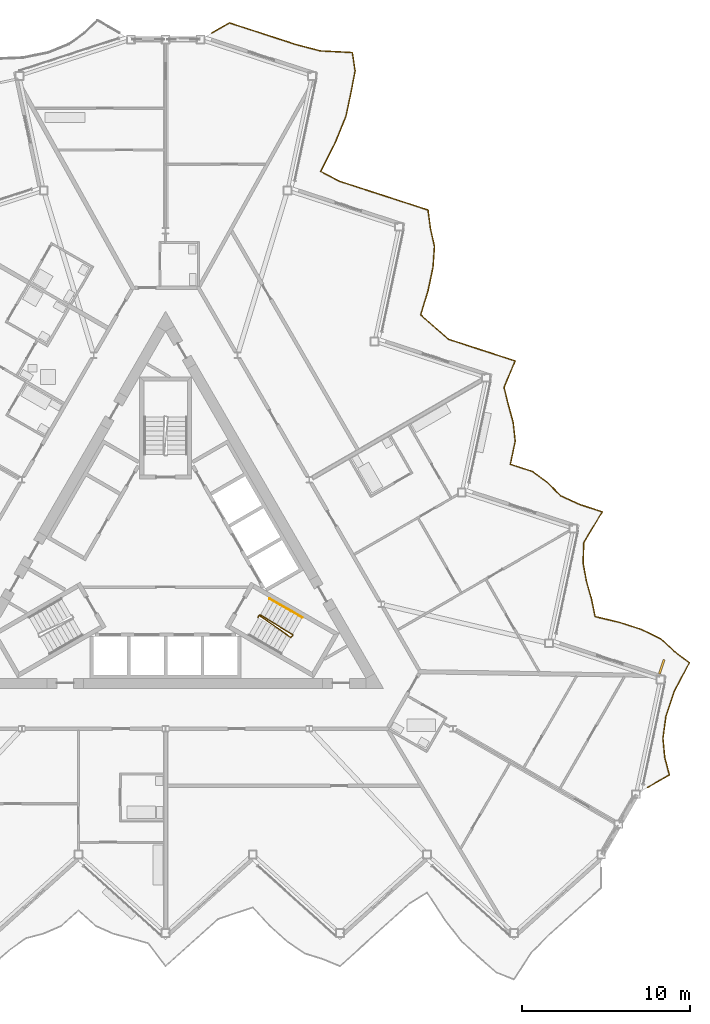
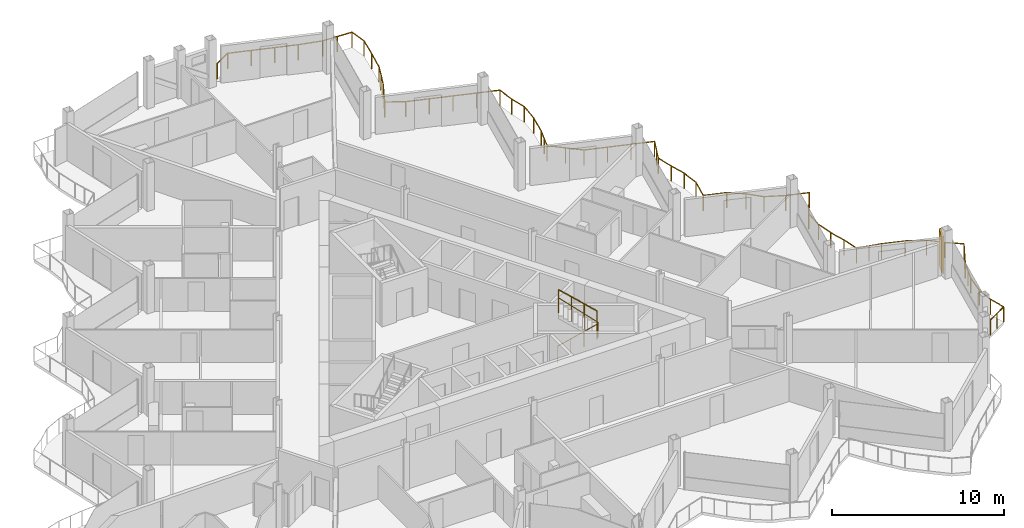
# One storey, part 23 of 26: 3 railings, 1 shading device.
"""IFC4 building model written with IfcOpenShell, lengths in metres."""

from ifc_helpers import new_model, si_unit, direction, frame, origin, origin_2d, place, context, subcontext, project, spatial, rectangle, circle, extrude, material, layer, layer_set, type_object, element, save


model = new_model("IFC4")

# Units and contexts
model_context = context("Model", 3, precision=1e-05, world=origin(), true_north=direction((0.0, 1.0)))
body_context = subcontext(model_context, "Body", "Model", "MODEL_VIEW")
ifc_project = project(units=[si_unit("LENGTHUNIT", "METRE"), si_unit("AREAUNIT", "SQUARE_METRE"), si_unit("VOLUMEUNIT", "CUBIC_METRE"), si_unit("PLANEANGLEUNIT", "RADIAN"), si_unit("MASSUNIT", "GRAM", prefix="KILO")], contexts=[model_context])

# Site, building, storey
site_placement = place(None, origin())
site = spatial("IfcSite", under=ifc_project, at=site_placement, CompositionType="ELEMENT")
building_placement = place(site_placement, origin())
building = spatial("IfcBuilding", under=site, at=building_placement, Name="Cormorant Prow Tower", CompositionType="ELEMENT")
storey_placement = place(building_placement, frame((0.0, 0.0, 384.800048828125)))
storey = spatial("IfcBuildingStorey", under=building, at=storey_placement, Name="L87", CompositionType="ELEMENT", Elevation=384.800048828125)

# Railings
ifc_material_1 = material(Name="Aluminium 6063-T6", Category="aluminium")
railing_type_1 = type_object("IfcRailingType", Name="Balcony guard 1100", PredefinedType="GUARDRAIL", material=ifc_material_1)
railing_1_placement = place(storey_placement, frame((28.752685546875, -13.421875, 0.0)))
element("IfcRailing", 1, at=railing_1_placement, inside=storey, type_object=railing_type_1, Name="Balcony guard ENE", PredefinedType="GUARDRAIL", context=body_context, shape_type="SweptSolid", body=[
    extrude(circle(Radius=0.02392578125, at=origin_2d()), frame((0.0, 0.0, 1.076171875), z_axis=(0.866030456496, 0.499991248344, 0.0), x_axis=(-0.499991248344, 0.866030456496, 0.0)), (0.0, 0.0, 1.0), 1.52001953125),
    extrude(circle(Radius=0.02392578125, at=origin_2d()), frame((1.31640625, 0.760009765625, 1.076171875), z_axis=(-0.25456018567, 0.967056933108, 0.0), x_axis=(-0.967056933108, -0.25456018567, 0.0)), (0.0, 0.0, 1.0), 1.077880859375),
    extrude(circle(Radius=0.02392578125, at=origin_2d()), frame((1.0419921875, 1.802490234375, 1.076171875), z_axis=(-0.094345723929, 0.995539494132, 0.0), x_axis=(-0.995539494132, -0.094345723929, 0.0)), (0.0, 0.0, 1.0), 1.143798828125),
    extrude(circle(Radius=0.02392578125, at=origin_2d()), frame((0.93408203125, 2.941162109375, 1.076171875), z_axis=(0.133927756616, 0.990991097845, 0.0), x_axis=(-0.990991097845, 0.133927756616, 0.0)), (0.0, 0.0, 1.0), 1.314208984375),
    extrude(circle(Radius=0.02392578125, at=origin_2d()), frame((1.110107421875, 4.24365234375, 1.076171875), z_axis=(0.315432447074, 0.948948034053, 0.0), x_axis=(-0.948948034053, 0.315432447074, 0.0)), (0.0, 0.0, 1.0), 1.565673828125),
    extrude(circle(Radius=0.02392578125, at=origin_2d()), frame((1.60400390625, 5.7294921875, 1.076171875), z_axis=(0.465555422045, 0.885018728053, 0.0), x_axis=(-0.885018728053, 0.465555422045, 0.0)), (0.0, 0.0, 1.0), 1.94921875),
    extrude(circle(Radius=0.02392578125, at=origin_2d()), frame((2.511474609375, 7.45458984375, 1.076171875), z_axis=(-0.799273587813, 0.60096733008, 0.0), x_axis=(-0.60096733008, -0.799273587813, 0.0)), (0.0, 0.0, 1.0), 1.130126953125),
    extrude(circle(Radius=0.02392578125, at=origin_2d()), frame((1.608154296875, 8.1337890625, 1.076171875), z_axis=(-0.732545721548, 0.680717831294, 0.0), x_axis=(-0.680717831294, -0.732545721548, 0.0)), (0.0, 0.0, 1.0), 1.088134765625),
    extrude(circle(Radius=0.02392578125, at=origin_2d()), frame((0.81103515625, 8.87451171875, 1.076171875), z_axis=(-0.897448694974, 0.441118850072, 0.0), x_axis=(-0.441118850072, -0.897448694974, 0.0)), (0.0, 0.0, 1.0), 1.251953125),
    extrude(circle(Radius=0.02392578125, at=origin_2d()), frame((-0.3125, 9.4267578125, 1.076171875), z_axis=(-0.951012270488, 0.309153135811, 0.0), x_axis=(-0.309153135811, -0.951012270488, 0.0)), (0.0, 0.0, 1.0), 1.3994140625),
    extrude(circle(Radius=0.02392578125, at=origin_2d()), frame((-1.643310546875, 9.859375, 1.076171875), z_axis=(-0.972903010085, 0.231213608959, 0.0), x_axis=(-0.231213608959, -0.972903010085, 0.0)), (0.0, 0.0, 1.0), 1.51416015625),
    extrude(circle(Radius=0.02392578125, at=origin_2d()), frame((-3.116455078125, 10.20947265625, 1.076171875), z_axis=(-0.201596352641, 0.979468687913, 0.0), x_axis=(-0.979468687913, -0.201596352641, 0.0)), (0.0, 0.0, 1.0), 1.095947265625),
    extrude(circle(Radius=0.02392578125, at=origin_2d()), frame((-3.33740234375, 11.282958984375, 1.076171875), z_axis=(-0.276315315013, 0.961067035482, 0.0), x_axis=(-0.961067035482, -0.276315315013, 0.0)), (0.0, 0.0, 1.0), 1.07177734375),
    extrude(circle(Radius=0.02392578125, at=origin_2d()), frame((-3.633544921875, 12.31298828125, 1.076171875), z_axis=(-0.179760955781, 0.983710322593, 0.0), x_axis=(-0.983710322593, -0.179760955781, 0.0)), (0.0, 0.0, 1.0), 1.104248046875),
    extrude(circle(Radius=0.02392578125, at=origin_2d()), frame((-3.83203125, 13.399169921875, 1.076171875), z_axis=(0.035421803322, 0.999372451016, 0.0), x_axis=(-0.999372451016, 0.035421803322, 0.0)), (0.0, 0.0, 1.0), 1.226806640625),
    extrude(circle(Radius=0.02392578125, at=origin_2d()), frame((-3.78857421875, 14.625244140625, 1.076171875), z_axis=(0.513992423675, 0.857794723932, 0.0), x_axis=(-0.857794723932, 0.513992423675, 0.0)), (0.0, 0.0, 1.0), 2.140380859375),
    extrude(circle(Radius=0.02392578125, at=origin_2d()), frame((-2.6884765625, 16.461181640625, 1.076171875), z_axis=(-0.951080208938, 0.308944066403, 0.0), x_axis=(-0.308944066403, -0.951080208938, 0.0)), (0.0, 0.0, 1.0), 1.3994140625),
    extrude(circle(Radius=0.02392578125, at=origin_2d()), frame((-4.01953125, 16.8935546875, 1.076171875), z_axis=(-0.909282126694, 0.416180266321, 0.0), x_axis=(-0.416180266321, -0.909282126694, 0.0)), (0.0, 0.0, 1.0), 1.27587890625),
    extrude(circle(Radius=0.02392578125, at=origin_2d()), frame((-5.1796875, 17.424560546875, 1.076171875), z_axis=(-0.701747981526, 0.712425273572, 0.0), x_axis=(-0.712425273572, -0.701747981526, 0.0)), (0.0, 0.0, 1.0), 1.07470703125),
    extrude(circle(Radius=0.02392578125, at=origin_2d()), frame((-5.933837890625, 18.190185546875, 1.076171875), z_axis=(-0.802655426289, 0.596443012072, 0.0), x_axis=(-0.596443012072, -0.802655426289, 0.0)), (0.0, 0.0, 1.0), 1.133056640625),
    extrude(circle(Radius=0.02392578125, at=origin_2d()), frame((-6.84326171875, 18.865966796875, 1.076171875), z_axis=(-0.951080208938, 0.308944066403, 0.0), x_axis=(-0.308944066403, -0.951080208938, 0.0)), (0.0, 0.0, 1.0), 1.3994140625),
    extrude(circle(Radius=0.02392578125, at=origin_2d()), frame((-8.17431640625, 19.29833984375, 1.076171875), z_axis=(0.207944297815, 0.978140669335, 0.0), x_axis=(-0.978140669335, 0.207944297815, 0.0)), (0.0, 0.0, 1.0), 1.3994140625),
    extrude(circle(Radius=0.02392578125, at=origin_2d()), frame((-7.88330078125, 20.667236328125, 1.076171875), z_axis=(-0.107602333357, 0.994194014192, 0.0), x_axis=(-0.994194014192, -0.107602333357, 0.0)), (0.0, 0.0, 1.0), 1.13671875),
    extrude(circle(Radius=0.02392578125, at=origin_2d()), frame((-8.005615234375, 21.79736328125, 1.076171875), z_axis=(-0.264808083684, 0.964301134924, 0.0), x_axis=(-0.964301134924, -0.264808083684, 0.0)), (0.0, 0.0, 1.0), 1.074951171875),
    extrude(circle(Radius=0.02392578125, at=origin_2d()), frame((-8.290283203125, 22.833984375, 1.076171875), z_axis=(-0.24142060339, 0.970420574936, 0.0), x_axis=(-0.970420574936, -0.24142060339, 0.0)), (0.0, 0.0, 1.0), 1.08203125),
    extrude(circle(Radius=0.02392578125, at=origin_2d()), frame((-8.551513671875, 23.884033203125, 1.076171875), z_axis=(0.386078994562, 0.922465722918, 0.0), x_axis=(-0.922465722918, 0.386078994562, 0.0)), (0.0, 0.0, 1.0), 1.716796875),
    extrude(circle(Radius=0.02392578125, at=origin_2d()), frame((-7.888671875, 25.4677734375, 1.076171875), z_axis=(-0.951063554534, 0.308995332064, 0.0), x_axis=(-0.308995332064, -0.951063554534, 0.0)), (0.0, 0.0, 1.0), 1.399169921875),
    extrude(circle(Radius=0.02392578125, at=origin_2d()), frame((-9.219482421875, 25.900146484375, 1.076171875), z_axis=(-0.951028941009, 0.309101849499, 0.0), x_axis=(-0.309101849499, -0.951028941009, 0.0)), (0.0, 0.0, 1.0), 1.399658203125),
    extrude(circle(Radius=0.02392578125, at=origin_2d()), frame((-10.550537109375, 26.332763671875, 1.076171875), z_axis=(-0.951080208938, 0.308944066403, 0.0), x_axis=(-0.308944066403, -0.951080208938, 0.0)), (0.0, 0.0, 1.0), 1.3994140625),
    extrude(circle(Radius=0.02392578125, at=origin_2d()), frame((-11.881591796875, 26.76513671875, 1.076171875), z_axis=(-0.751321904946, 0.659935902303, 0.0), x_axis=(-0.659935902303, -0.751321904946, 0.0)), (0.0, 0.0, 1.0), 1.097900390625),
    extrude(circle(Radius=0.02392578125, at=origin_2d()), frame((-12.70654296875, 27.48974609375, 1.076171875), z_axis=(-0.745783361413, 0.666188545263, 0.0), x_axis=(-0.666188545263, -0.745783361413, 0.0)), (0.0, 0.0, 1.0), 1.094970703125),
    extrude(circle(Radius=0.02392578125, at=origin_2d()), frame((-13.523193359375, 28.21923828125, 1.076171875), z_axis=(0.289499043639, 0.957178302999, 0.0), x_axis=(-0.957178302999, 0.289499043639, 0.0)), (0.0, 0.0, 1.0), 1.519775390625),
    extrude(circle(Radius=0.02392578125, at=origin_2d()), frame((-13.083251953125, 29.673828125, 1.076171875), z_axis=(0.20777738218, 0.978176139279, 0.0), x_axis=(-0.978176139279, 0.20777738218, 0.0)), (0.0, 0.0, 1.0), 1.3994140625),
    extrude(circle(Radius=0.02392578125, at=origin_2d()), frame((-12.79248046875, 31.042724609375, 1.076171875), z_axis=(0.072089367542, 0.997398176802, 0.0), x_axis=(-0.997398176802, 0.072089367542, 0.0)), (0.0, 0.0, 1.0), 1.25634765625),
    extrude(circle(Radius=0.02392578125, at=origin_2d()), frame((-12.701904296875, 32.2958984375, 1.076171875), z_axis=(-0.221107375774, 0.975249469817, 0.0), x_axis=(-0.975249469817, -0.221107375774, 0.0)), (0.0, 0.0, 1.0), 1.088623046875),
    extrude(circle(Radius=0.02392578125, at=origin_2d()), frame((-12.942626953125, 33.357666015625, 1.076171875), z_axis=(-0.129635742751, 0.991561684517, 0.0), x_axis=(-0.991561684517, -0.129635742751, 0.0)), (0.0, 0.0, 1.0), 1.126220703125),
    extrude(circle(Radius=0.02392578125, at=origin_2d()), frame((-13.088623046875, 34.474365234375, 1.076171875), z_axis=(-0.951028941009, 0.309101849499, 0.0), x_axis=(-0.309101849499, -0.951028941009, 0.0)), (0.0, 0.0, 1.0), 1.399658203125),
    extrude(circle(Radius=0.02392578125, at=origin_2d()), frame((-14.419677734375, 34.906982421875, 1.076171875), z_axis=(-0.951063554534, 0.308995332064, 0.0), x_axis=(-0.308995332064, -0.951063554534, 0.0)), (0.0, 0.0, 1.0), 1.399169921875),
    extrude(circle(Radius=0.02392578125, at=origin_2d()), frame((-15.75048828125, 35.33935546875, 1.076171875), z_axis=(-0.951080208938, 0.308944066403, 0.0), x_axis=(-0.308944066403, -0.951080208938, 0.0)), (0.0, 0.0, 1.0), 1.3994140625),
    extrude(circle(Radius=0.02392578125, at=origin_2d()), frame((-17.08154296875, 35.771728515625, 1.076171875), z_axis=(-0.951028941009, 0.309101849499, 0.0), x_axis=(-0.309101849499, -0.951028941009, 0.0)), (0.0, 0.0, 1.0), 1.399658203125),
    extrude(circle(Radius=0.02392578125, at=origin_2d()), frame((-18.41259765625, 36.204345703125, 1.076171875), z_axis=(-0.881977391016, 0.471291716176, 0.0), x_axis=(-0.471291716176, -0.881977391016, 0.0)), (0.0, 0.0, 1.0), 1.224609375),
    extrude(circle(Radius=0.02392578125, at=origin_2d()), frame((-19.49267578125, 36.781494140625, 1.076171875), z_axis=(0.451268220135, 0.892388364725, 0.0), x_axis=(-0.892388364725, 0.451268220135, 0.0)), (0.0, 0.0, 1.0), 1.900634765625),
    extrude(circle(Radius=0.02392578125, at=origin_2d()), frame((-18.635009765625, 38.4775390625, 1.076171875), z_axis=(0.378369741476, 0.925654546111, 0.0), x_axis=(-0.925654546111, 0.378369741476, 0.0)), (0.0, 0.0, 1.0), 1.6982421875),
    extrude(circle(Radius=0.02392578125, at=origin_2d()), frame((-17.992431640625, 40.049560546875, 1.076171875), z_axis=(0.207944297815, 0.978140669335, 0.0), x_axis=(-0.978140669335, 0.207944297815, 0.0)), (0.0, 0.0, 1.0), 1.3994140625),
    extrude(circle(Radius=0.02392578125, at=origin_2d()), frame((-17.701416015625, 41.41845703125, 1.076171875), z_axis=(0.191139913885, 0.981562801516, 0.0), x_axis=(-0.981562801516, 0.191139913885, 0.0)), (0.0, 0.0, 1.0), 1.378173828125),
    extrude(circle(Radius=0.02392578125, at=origin_2d()), frame((-17.43798828125, 42.771240234375, 1.076171875), z_axis=(-0.149494601808, 0.988762541782, 0.0), x_axis=(-0.988762541782, -0.149494601808, 0.0)), (0.0, 0.0, 1.0), 1.116943359375),
    extrude(circle(Radius=0.02392578125, at=origin_2d()), frame((-17.60498046875, 43.875732421875, 1.076171875), z_axis=(-0.998745657761, 0.050071060531, 0.0), x_axis=(-0.050071060531, -0.998745657761, 0.0)), (0.0, 0.0, 1.0), 1.916259765625),
    extrude(circle(Radius=0.02392578125, at=origin_2d()), frame((-19.518798828125, 43.9716796875, 1.076171875), z_axis=(-0.967496287377, 0.252885218849, 0.0), x_axis=(-0.252885218849, -0.967496287377, 0.0)), (0.0, 0.0, 1.0), 1.47998046875),
    extrude(circle(Radius=0.02392578125, at=origin_2d()), frame((-20.95068359375, 44.345947265625, 1.076171875), z_axis=(-0.951012270488, 0.309153135811, 0.0), x_axis=(-0.309153135811, -0.951012270488, 0.0)), (0.0, 0.0, 1.0), 1.3994140625),
    extrude(circle(Radius=0.02392578125, at=origin_2d()), frame((-22.281494140625, 44.778564453125, 1.076171875), z_axis=(-0.951080208938, 0.308944066403, 0.0), x_axis=(-0.308944066403, -0.951080208938, 0.0)), (0.0, 0.0, 1.0), 1.3994140625),
    extrude(circle(Radius=0.02392578125, at=origin_2d()), frame((-23.612548828125, 45.2109375, 1.076171875), z_axis=(-0.951063554534, 0.308995332064, 0.0), x_axis=(-0.308995332064, -0.951063554534, 0.0)), (0.0, 0.0, 1.0), 1.399169921875),
    extrude(circle(Radius=0.02392578125, at=origin_2d()), frame((-24.943359375, 45.643310546875, 1.076171875), z_axis=(-0.866092288191, -0.499884134912, 0.0), x_axis=(0.499884134912, -0.866092288191, 0.0)), (0.0, 0.0, 1.0), 1.219970703125),
    extrude(circle(Radius=0.02099609375, at=origin_2d()), origin(), (0.0, 0.0, 1.0), 1.052001953125),
    extrude(circle(Radius=0.02099609375, at=origin_2d()), frame((0.658203125, 0.3798828125, 0.0)), (0.0, 0.0, 1.0), 1.052001953125),
    extrude(circle(Radius=0.02099609375, at=origin_2d()), frame((1.31640625, 0.760009765625, 0.0)), (0.0, 0.0, 1.0), 1.052001953125),
    extrude(circle(Radius=0.02099609375, at=origin_2d()), frame((1.0419921875, 1.802490234375, 0.0)), (0.0, 0.0, 1.0), 1.052001953125),
    extrude(circle(Radius=0.02099609375, at=origin_2d()), frame((0.93408203125, 2.941162109375, 0.0)), (0.0, 0.0, 1.0), 1.052001953125),
    extrude(circle(Radius=0.02099609375, at=origin_2d()), frame((1.110107421875, 4.24365234375, 0.0)), (0.0, 0.0, 1.0), 1.052001953125),
    extrude(circle(Radius=0.02099609375, at=origin_2d()), frame((1.35693359375, 4.986572265625, 0.0)), (0.0, 0.0, 1.0), 1.052001953125),
    extrude(circle(Radius=0.02099609375, at=origin_2d()), frame((1.60400390625, 5.7294921875, 0.0)), (0.0, 0.0, 1.0), 1.052001953125),
    extrude(circle(Radius=0.02099609375, at=origin_2d()), frame((2.0576171875, 6.592041015625, 0.0)), (0.0, 0.0, 1.0), 1.052001953125),
    extrude(circle(Radius=0.02099609375, at=origin_2d()), frame((2.511474609375, 7.45458984375, 0.0)), (0.0, 0.0, 1.0), 1.052001953125),
    extrude(circle(Radius=0.02099609375, at=origin_2d()), frame((1.608154296875, 8.1337890625, 0.0)), (0.0, 0.0, 1.0), 1.052001953125),
    extrude(circle(Radius=0.02099609375, at=origin_2d()), frame((0.81103515625, 8.87451171875, 0.0)), (0.0, 0.0, 1.0), 1.052001953125),
    extrude(circle(Radius=0.02099609375, at=origin_2d()), frame((-0.3125, 9.4267578125, 0.0)), (0.0, 0.0, 1.0), 1.052001953125),
    extrude(circle(Radius=0.02099609375, at=origin_2d()), frame((-1.643310546875, 9.859375, 0.0)), (0.0, 0.0, 1.0), 1.052001953125),
    extrude(circle(Radius=0.02099609375, at=origin_2d()), frame((-2.3798828125, 10.034423828125, 0.0)), (0.0, 0.0, 1.0), 1.052001953125),
    extrude(circle(Radius=0.02099609375, at=origin_2d()), frame((-3.116455078125, 10.20947265625, 0.0)), (0.0, 0.0, 1.0), 1.052001953125),
    extrude(circle(Radius=0.02099609375, at=origin_2d()), frame((-3.33740234375, 11.282958984375, 0.0)), (0.0, 0.0, 1.0), 1.052001953125),
    extrude(circle(Radius=0.02099609375, at=origin_2d()), frame((-3.633544921875, 12.31298828125, 0.0)), (0.0, 0.0, 1.0), 1.052001953125),
    extrude(circle(Radius=0.02099609375, at=origin_2d()), frame((-3.83203125, 13.399169921875, 0.0)), (0.0, 0.0, 1.0), 1.052001953125),
    extrude(circle(Radius=0.02099609375, at=origin_2d()), frame((-3.78857421875, 14.625244140625, 0.0)), (0.0, 0.0, 1.0), 1.052001953125),
    extrude(circle(Radius=0.02099609375, at=origin_2d()), frame((-3.238525390625, 15.543212890625, 0.0)), (0.0, 0.0, 1.0), 1.052001953125),
    extrude(circle(Radius=0.02099609375, at=origin_2d()), frame((-2.6884765625, 16.461181640625, 0.0)), (0.0, 0.0, 1.0), 1.052001953125),
    extrude(circle(Radius=0.02099609375, at=origin_2d()), frame((-4.01953125, 16.8935546875, 0.0)), (0.0, 0.0, 1.0), 1.052001953125),
    extrude(circle(Radius=0.02099609375, at=origin_2d()), frame((-5.1796875, 17.424560546875, 0.0)), (0.0, 0.0, 1.0), 1.052001953125),
    extrude(circle(Radius=0.02099609375, at=origin_2d()), frame((-5.933837890625, 18.190185546875, 0.0)), (0.0, 0.0, 1.0), 1.052001953125),
    extrude(circle(Radius=0.02099609375, at=origin_2d()), frame((-6.84326171875, 18.865966796875, 0.0)), (0.0, 0.0, 1.0), 1.052001953125),
    extrude(circle(Radius=0.02099609375, at=origin_2d()), frame((-8.17431640625, 19.29833984375, 0.0)), (0.0, 0.0, 1.0), 1.052001953125),
    extrude(circle(Radius=0.02099609375, at=origin_2d()), frame((-7.88330078125, 20.667236328125, 0.0)), (0.0, 0.0, 1.0), 1.052001953125),
    extrude(circle(Radius=0.02099609375, at=origin_2d()), frame((-8.005615234375, 21.79736328125, 0.0)), (0.0, 0.0, 1.0), 1.052001953125),
    extrude(circle(Radius=0.02099609375, at=origin_2d()), frame((-8.290283203125, 22.833984375, 0.0)), (0.0, 0.0, 1.0), 1.052001953125),
    extrude(circle(Radius=0.02099609375, at=origin_2d()), frame((-8.551513671875, 23.884033203125, 0.0)), (0.0, 0.0, 1.0), 1.052001953125),
    extrude(circle(Radius=0.02099609375, at=origin_2d()), frame((-8.22021484375, 24.67578125, 0.0)), (0.0, 0.0, 1.0), 1.052001953125),
    extrude(circle(Radius=0.02099609375, at=origin_2d()), frame((-7.888671875, 25.4677734375, 0.0)), (0.0, 0.0, 1.0), 1.052001953125),
    extrude(circle(Radius=0.02099609375, at=origin_2d()), frame((-9.219482421875, 25.900146484375, 0.0)), (0.0, 0.0, 1.0), 1.052001953125),
    extrude(circle(Radius=0.02099609375, at=origin_2d()), frame((-10.550537109375, 26.332763671875, 0.0)), (0.0, 0.0, 1.0), 1.052001953125),
    extrude(circle(Radius=0.02099609375, at=origin_2d()), frame((-11.881591796875, 26.76513671875, 0.0)), (0.0, 0.0, 1.0), 1.052001953125),
    extrude(circle(Radius=0.02099609375, at=origin_2d()), frame((-12.70654296875, 27.48974609375, 0.0)), (0.0, 0.0, 1.0), 1.052001953125),
    extrude(circle(Radius=0.02099609375, at=origin_2d()), frame((-13.523193359375, 28.21923828125, 0.0)), (0.0, 0.0, 1.0), 1.052001953125),
    extrude(circle(Radius=0.02099609375, at=origin_2d()), frame((-13.30322265625, 28.946533203125, 0.0)), (0.0, 0.0, 1.0), 1.052001953125),
    extrude(circle(Radius=0.02099609375, at=origin_2d()), frame((-13.083251953125, 29.673828125, 0.0)), (0.0, 0.0, 1.0), 1.052001953125),
    extrude(circle(Radius=0.02099609375, at=origin_2d()), frame((-12.79248046875, 31.042724609375, 0.0)), (0.0, 0.0, 1.0), 1.052001953125),
    extrude(circle(Radius=0.02099609375, at=origin_2d()), frame((-12.701904296875, 32.2958984375, 0.0)), (0.0, 0.0, 1.0), 1.052001953125),
    extrude(circle(Radius=0.02099609375, at=origin_2d()), frame((-12.942626953125, 33.357666015625, 0.0)), (0.0, 0.0, 1.0), 1.052001953125),
    extrude(circle(Radius=0.02099609375, at=origin_2d()), frame((-13.088623046875, 34.474365234375, 0.0)), (0.0, 0.0, 1.0), 1.052001953125),
    extrude(circle(Radius=0.02099609375, at=origin_2d()), frame((-14.419677734375, 34.906982421875, 0.0)), (0.0, 0.0, 1.0), 1.052001953125),
    extrude(circle(Radius=0.02099609375, at=origin_2d()), frame((-15.75048828125, 35.33935546875, 0.0)), (0.0, 0.0, 1.0), 1.052001953125),
    extrude(circle(Radius=0.02099609375, at=origin_2d()), frame((-17.08154296875, 35.771728515625, 0.0)), (0.0, 0.0, 1.0), 1.052001953125),
    extrude(circle(Radius=0.02099609375, at=origin_2d()), frame((-18.41259765625, 36.204345703125, 0.0)), (0.0, 0.0, 1.0), 1.052001953125),
    extrude(circle(Radius=0.02099609375, at=origin_2d()), frame((-19.49267578125, 36.781494140625, 0.0)), (0.0, 0.0, 1.0), 1.052001953125),
    extrude(circle(Radius=0.02099609375, at=origin_2d()), frame((-19.06396484375, 37.62939453125, 0.0)), (0.0, 0.0, 1.0), 1.052001953125),
    extrude(circle(Radius=0.02099609375, at=origin_2d()), frame((-18.635009765625, 38.4775390625, 0.0)), (0.0, 0.0, 1.0), 1.052001953125),
    extrude(circle(Radius=0.02099609375, at=origin_2d()), frame((-18.313720703125, 39.263671875, 0.0)), (0.0, 0.0, 1.0), 1.052001953125),
    extrude(circle(Radius=0.02099609375, at=origin_2d()), frame((-17.992431640625, 40.049560546875, 0.0)), (0.0, 0.0, 1.0), 1.052001953125),
    extrude(circle(Radius=0.02099609375, at=origin_2d()), frame((-17.701416015625, 41.41845703125, 0.0)), (0.0, 0.0, 1.0), 1.052001953125),
    extrude(circle(Radius=0.02099609375, at=origin_2d()), frame((-17.43798828125, 42.771240234375, 0.0)), (0.0, 0.0, 1.0), 1.052001953125),
    extrude(circle(Radius=0.02099609375, at=origin_2d()), frame((-17.60498046875, 43.875732421875, 0.0)), (0.0, 0.0, 1.0), 1.052001953125),
    extrude(circle(Radius=0.02099609375, at=origin_2d()), frame((-18.56201171875, 43.923828125, 0.0)), (0.0, 0.0, 1.0), 1.052001953125),
    extrude(circle(Radius=0.02099609375, at=origin_2d()), frame((-19.518798828125, 43.9716796875, 0.0)), (0.0, 0.0, 1.0), 1.052001953125),
    extrude(circle(Radius=0.02099609375, at=origin_2d()), frame((-20.95068359375, 44.345947265625, 0.0)), (0.0, 0.0, 1.0), 1.052001953125),
    extrude(circle(Radius=0.02099609375, at=origin_2d()), frame((-22.281494140625, 44.778564453125, 0.0)), (0.0, 0.0, 1.0), 1.052001953125),
    extrude(circle(Radius=0.02099609375, at=origin_2d()), frame((-23.612548828125, 45.2109375, 0.0)), (0.0, 0.0, 1.0), 1.052001953125),
    extrude(circle(Radius=0.02099609375, at=origin_2d()), frame((-24.943359375, 45.643310546875, 0.0)), (0.0, 0.0, 1.0), 1.052001953125),
    extrude(circle(Radius=0.02099609375, at=origin_2d()), frame((-26.0, 45.033447265625, 0.0)), (0.0, 0.0, 1.0), 1.052001953125),
])
ifc_material_2 = material(Name="Stainless steel", Category="steel")
railing_type_2 = type_object("IfcRailingType", Name="Stair guard 1100", PredefinedType="GUARDRAIL", material=ifc_material_2)
railing_2_placement = place(storey_placement, frame((5.510009765625, -3.267822265625, 0.0)))
element("IfcRailing", 2, at=railing_2_placement, inside=storey, type_object=railing_type_2, Name="L87 ST2 stair guard 1", PredefinedType="GUARDRAIL", context=body_context, shape_type="SweptSolid", body=[
    extrude(circle(Radius=0.02392578125, at=origin_2d()), frame((0.0, 0.0, 1.076171875), z_axis=(0.501036270542, 0.865426285481, 0.0), x_axis=(-0.865426285481, 0.501036270542, 0.0)), (0.0, 0.0, 1.0), 0.150146484375),
    extrude(circle(Radius=0.02392578125, at=origin_2d()), frame((0.0751953125, 0.1298828125, 1.076171875), z_axis=(0.658670593711, -0.461060875852, 0.594622500196), x_axis=(0.573455215813, 0.819236910458, 0.0)), (0.0, 0.0, 1.0), 2.85888671875),
    extrude(circle(Radius=0.02392578125, at=origin_2d()), frame((1.958251953125, -1.188232421875, 2.77587890625), z_axis=(0.695164929852, 0.718850276695, 0.0), x_axis=(-0.718850276695, 0.695164929852, 0.0)), (0.0, 0.0, 1.0), 0.2060546875),
    extrude(circle(Radius=0.02392578125, at=origin_2d()), frame((2.1015625, -1.0400390625, 2.77587890625), z_axis=(-0.686515364547, 0.416565300991, 0.595961411712), x_axis=(-0.518752825935, -0.854924268918, 0.0)), (0.0, 0.0, 1.0), 2.8525390625),
    extrude(circle(Radius=0.02099609375, at=origin_2d()), origin(), (0.0, 0.0, 1.0), 1.052001953125),
    extrude(circle(Radius=0.02099609375, at=origin_2d()), frame((0.0751953125, 0.1298828125, 0.0)), (0.0, 0.0, 1.0), 1.052001953125),
    extrude(circle(Radius=0.02099609375, at=origin_2d()), frame((0.702880859375, -0.3095703125, 0.566650390625)), (0.0, 0.0, 1.0), 1.052001953125),
    extrude(circle(Radius=0.02099609375, at=origin_2d()), frame((1.33056640625, -0.748779296875, 1.13330078125)), (0.0, 0.0, 1.0), 1.052001953125),
    extrude(circle(Radius=0.02099609375, at=origin_2d()), frame((1.958251953125, -1.188232421875, 1.699951171875)), (0.0, 0.0, 1.0), 1.052001953125),
    extrude(circle(Radius=0.02099609375, at=origin_2d()), frame((2.1015625, -1.0400390625, 1.699951171875)), (0.0, 0.0, 1.0), 1.052001953125),
    extrude(circle(Radius=0.02099609375, at=origin_2d()), frame((1.44873046875, -0.64404296875, 2.2666015625)), (0.0, 0.0, 1.0), 1.052001953125),
    extrude(circle(Radius=0.02099609375, at=origin_2d()), frame((0.796142578125, -0.247802734375, 2.833251953125)), (0.0, 0.0, 1.0), 1.052001953125),
    extrude(circle(Radius=0.02099609375, at=origin_2d()), frame((0.143310546875, 0.148193359375, 3.39990234375)), (0.0, 0.0, 1.0), 1.052001953125),
])
ifc_material_3 = material(Name="Stainless steel", Category="steel")
railing_type_3 = type_object("IfcRailingType", Name="Stair handrail 900", PredefinedType="HANDRAIL", material=ifc_material_3)
railing_3_placement = place(storey_placement, frame((8.15283203125, -3.2705078125, 1.888916015625)))
element("IfcRailing", 3, at=railing_3_placement, inside=storey, type_object=railing_type_3, Name="L87 ST2 stair handrail 2", PredefinedType="HANDRAIL", context=body_context, shape_type="SweptSolid", body=[
    extrude(circle(Radius=0.02392578125, at=origin_2d()), frame((0.0, 0.0, 0.8759765625), z_axis=(-0.717976596433, 0.414467486514, 0.559219375198), x_axis=(-0.49994888933, -0.866054910533, 0.0)), (0.0, 0.0, 1.0), 2.701904296875),
    extrude(circle(Radius=0.02099609375, at=origin_2d()), origin(), (0.0, 0.0, 1.0), 0.851806640625),
    extrude(circle(Radius=0.02099609375, at=origin_2d()), frame((-0.646728515625, 0.373291015625, 0.503662109375)), (0.0, 0.0, 1.0), 0.851806640625),
    extrude(circle(Radius=0.02099609375, at=origin_2d()), frame((-1.293212890625, 0.74658203125, 1.00732421875)), (0.0, 0.0, 1.0), 0.851806640625),
    extrude(circle(Radius=0.02099609375, at=origin_2d()), frame((-1.93994140625, 1.119873046875, 1.510986328125)), (0.0, 0.0, 1.0), 0.851806640625),
])

# Shading device
ifc_material_4 = material(Name="Terracotta", Category="masonry")
ifc_layer = layer(ifc_material_4, 0.1201171875)
ifc_layer_set = layer_set([ifc_layer], Name="Terracotta")
shading_device_type = type_object("IfcShadingDeviceType", Name="Terracotta baguette fin 120x900x2600", PredefinedType="USERDEFINED", material=ifc_layer_set)
shading_device_placement = place(storey_placement, frame((29.6123046875, -6.207763671875, 0.0), z_axis=(0.0, 0.0, 1.0), x_axis=(-0.951056548553, 0.309016895096, 0.0)))
element("IfcShadingDevice", 4, at=shading_device_placement, inside=storey, type_object=shading_device_type, Name="Baguette fin ENE01", ObjectType="BAGUETTE", PredefinedType="USERDEFINED", context=body_context, shape_type="SweptSolid", body=[
    extrude(rectangle(XDim=0.1201171875, YDim=0.89990234375, at=origin_2d()), origin(), (0.0, 0.0, 1.0), 2.60009765625),
])

save(model, "model.ifc")
